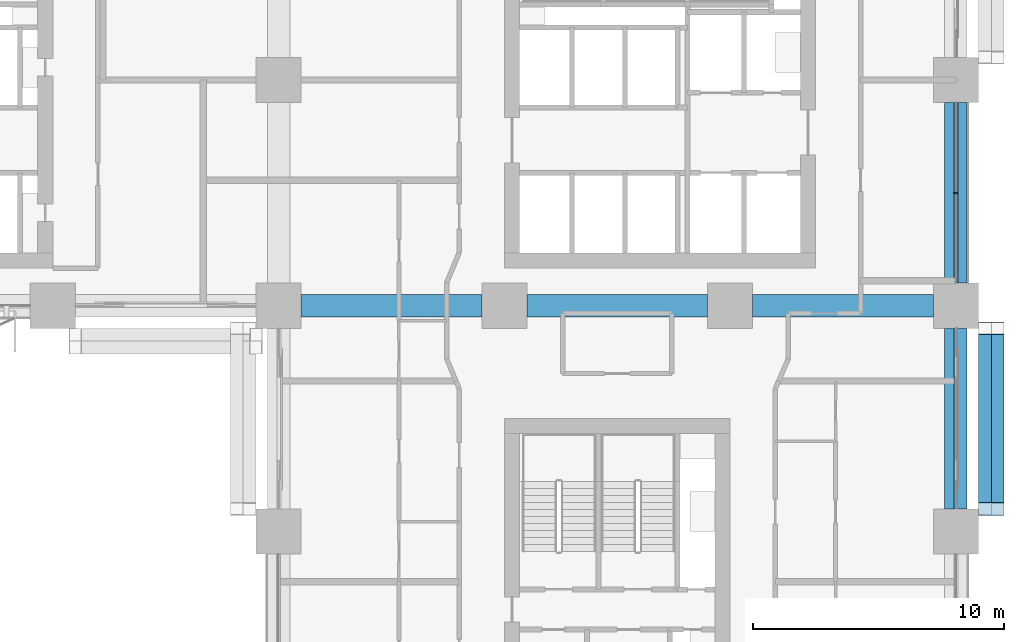
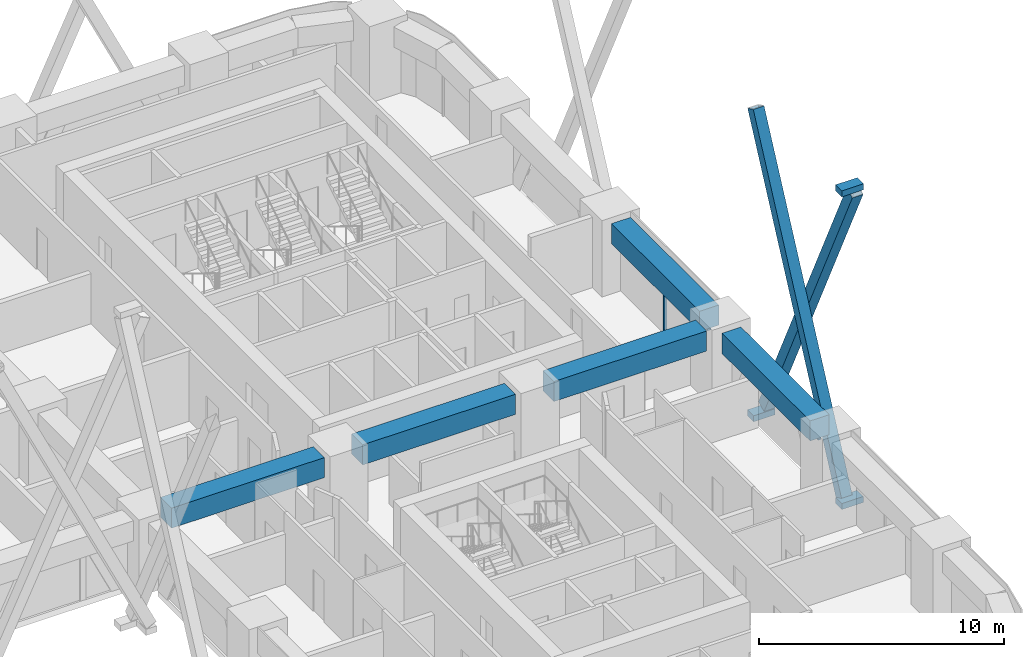
# One storey, part 5 of 19: 8 members, 5 beams, 2 elements without a shape of their own.
"""IFC4 building model written with IfcOpenShell, lengths in metres."""

from ifc_helpers import new_model, si_unit, direction, frame, origin, origin_2d, place, context, subcontext, project, spatial, rectangle, hollow_rectangle, extrude, material, layer, layer_set, material_profile, profile_set, type_object, element, aggregate, save


model = new_model("IFC4")

# Units and contexts
model_context = context("Model", 3, precision=1e-05, world=origin(), true_north=direction((0.0, 1.0)))
body_context = subcontext(model_context, "Body", "Model", "MODEL_VIEW")
ifc_project = project(units=[si_unit("LENGTHUNIT", "METRE"), si_unit("AREAUNIT", "SQUARE_METRE"), si_unit("VOLUMEUNIT", "CUBIC_METRE"), si_unit("PLANEANGLEUNIT", "RADIAN"), si_unit("MASSUNIT", "GRAM", prefix="KILO")], contexts=[model_context])

# Site, building, storey
site_placement = place(None, origin())
site = spatial("IfcSite", under=ifc_project, at=site_placement, CompositionType="ELEMENT")
building_placement = place(site_placement, origin())
building = spatial("IfcBuilding", under=site, at=building_placement, Name="Tessera Arch", CompositionType="ELEMENT")
storey_placement = place(building_placement, frame((0.0, 0.0, 108.199951171875)))
storey = spatial("IfcBuildingStorey", under=building, at=storey_placement, Name="L25", CompositionType="ELEMENT", Elevation=108.199951171875)

# Members
ifc_material_1 = material(Name="Steel A500 Gr C", Category="steel")
ifc_material_profile_1 = material_profile(ifc_material_1, hollow_rectangle(XDim=0.508056640625, YDim=0.508056640625, WallThickness=0.0146484375, at=origin_2d()), Name="HSS20x20x5/8")
ifc_profile_set_1 = profile_set([ifc_material_profile_1], Name="Steel A500 Gr C")
member_type_1 = type_object("IfcMemberType", Name="Brace HSS20x20x5/8 Steel A500 Gr C", PredefinedType="BRACE", material=ifc_profile_set_1)
for number, where, z_axis, x_axis, name in (
    (1, (55.154052734375, 18.89990234375, -0.800048828125), (0.0, 0.432740607972, 0.90151847802), (-1.0, 0.0, 0.0), "Brace E54.0-2 A L25-L28"),
    (2, (55.662109375, 26.10009765625, -0.800048828125), (0.0, -0.432740607972, 0.90151847802), (1.0, 0.0, 0.0), "Brace E54.0-2 B L25-L28"),
):
    element("IfcMember", number, at=place(storey_placement, frame(where, z_axis=z_axis, x_axis=x_axis)), inside=storey, type_object=member_type_1, Name=name, PredefinedType="BRACE", context=body_context, shape_type="SweptSolid", body=[
        extrude(hollow_rectangle(XDim=0.508056640625, YDim=0.508056640625, WallThickness=0.0146484375, at=origin_2d()), origin(), (0.0, 0.0, 1.0), 16.638671875),
    ])

# Curtain wall, members
ifc_material_2 = material(Name="CW1 curtain wall")
curtain_wall_type_1 = type_object("IfcCurtainWallType", Name="CW1 curtain wall", PredefinedType="NOTDEFINED", material=ifc_material_2)
curtain_wall_1_placement = place(storey_placement, origin())
curtain_wall_1 = element("IfcCurtainWall", 3, at=curtain_wall_1_placement, inside=storey, type_object=curtain_wall_type_1, Name="CW1 curtain wall E54.0/3 L25", PredefinedType="NOTDEFINED")
ifc_material_3 = material(Name="Anodised aluminium pale metal", Category="aluminium")
ifc_material_profile_2 = material_profile(ifc_material_3, rectangle(XDim=0.159912109375, YDim=0.06005859375, at=origin_2d()), Name="AL 60x160")
ifc_profile_set_2 = profile_set([ifc_material_profile_2], Name="Anodised aluminium pale metal")
member_type_2 = type_object("IfcMemberType", Name="CW1 mullion", PredefinedType="MULLION", material=ifc_profile_set_2)
member_1_placement = place(storey_placement, frame((54.0, 31.5, 0.0), z_axis=(0.0, 0.0, 1.0), x_axis=(-1.0, 0.0, 0.0)))
member_1 = element("IfcMember", 4, at=member_1_placement, type_object=member_type_2, Name="CW1 mullion E54.0/3 1", PredefinedType="MULLION", context=body_context, shape_type="SweptSolid", body=[
    extrude(rectangle(XDim=0.159912109375, YDim=0.06005859375, at=origin_2d()), origin(), (0.0, 0.0, 1.0), 2.400146484375),
])
ifc_material_4 = material(Name="Anodised aluminium pale metal", Category="aluminium")
ifc_material_profile_3 = material_profile(ifc_material_4, rectangle(XDim=0.159912109375, YDim=0.10009765625, at=origin_2d()), Name="AL 160x100")
ifc_profile_set_3 = profile_set([ifc_material_profile_3], Name="Anodised aluminium pale metal")
member_type_3 = type_object("IfcMemberType", Name="CW1 transom", PredefinedType="USERDEFINED", material=ifc_profile_set_3)
member_2_placement = place(storey_placement, frame((54.0, 27.89990234375, 2.449951171875), z_axis=(0.0, 1.0, 0.0), x_axis=(-1.0, 0.0, 0.0)))
member_2 = element("IfcMember", 5, at=member_2_placement, type_object=member_type_3, Name="CW1 transom E54.0/3 1.1", ObjectType="TRANSOM", PredefinedType="USERDEFINED", context=body_context, shape_type="SweptSolid", body=[
    extrude(rectangle(XDim=0.159912109375, YDim=0.10009765625, at=origin_2d()), origin(), (0.0, 0.0, 1.0), 7.2001953125),
])
aggregate(curtain_wall_1, [member_1, member_2])

# Curtain wall, member
ifc_material_5 = material(Name="CW3 curtain wall")
curtain_wall_type_2 = type_object("IfcCurtainWallType", Name="CW3 curtain wall", PredefinedType="NOTDEFINED", material=ifc_material_5)
curtain_wall_2_placement = place(storey_placement, origin())
curtain_wall_2 = element("IfcCurtainWall", 6, at=curtain_wall_2_placement, inside=storey, type_object=curtain_wall_type_2, Name="CW3 curtain wall E54.0/2 L25", PredefinedType="NOTDEFINED")
ifc_material_6 = material(Name="Anodised aluminium pale metal", Category="aluminium")
ifc_material_profile_4 = material_profile(ifc_material_6, rectangle(XDim=0.139892578125, YDim=0.10009765625, at=origin_2d()), Name="AL 140x100")
ifc_profile_set_4 = profile_set([ifc_material_profile_4], Name="Anodised aluminium pale metal")
member_type_4 = type_object("IfcMemberType", Name="CW3 transom", PredefinedType="USERDEFINED", material=ifc_profile_set_4)
member_3_placement = place(storey_placement, frame((54.0, 18.89990234375, 2.449951171875), z_axis=(0.0, 1.0, 0.0), x_axis=(-1.0, 0.0, 0.0)))
member_3 = element("IfcMember", 7, at=member_3_placement, type_object=member_type_4, Name="CW3 transom E54.0/2 1.1", ObjectType="TRANSOM", PredefinedType="USERDEFINED", context=body_context, shape_type="SweptSolid", body=[
    extrude(rectangle(XDim=0.139892578125, YDim=0.10009765625, at=origin_2d()), origin(), (0.0, 0.0, 1.0), 7.2001953125),
])
aggregate(curtain_wall_2, [member_3])

# Members
ifc_material_7 = material(Name="Steel A572 Gr50", Category="steel")
ifc_layer = layer(ifc_material_7, 0.050048828125)
ifc_layer_set = layer_set([ifc_layer], Name="Node block Steel A572 Gr50")
member_type_5 = type_object("IfcMemberType", Name="Node block Steel A572 Gr50", PredefinedType="PLATE", material=ifc_layer_set)
for number, where, z_axis, x_axis, name in (
    (8, (55.407958984375, 26.10009765625, -1.232421875), (0.0, 0.0, 1.0), (0.0, 1.0, 0.0), "Node block seat E54.0-2 1 L25"),
    (9, (55.407958984375, 18.89990234375, -1.232421875), (0.0, 0.0, 1.0), (0.0, 1.0, 0.0), "Node block seat E54.0-2 2 L25"),
    (10, (55.407958984375, 18.89990234375, 14.33251953125), (0.0, 0.0, 1.0), (0.0, 1.0, 0.0), "Node block head E54.0-2 B L25"),
):
    element("IfcMember", number, at=place(storey_placement, frame(where, z_axis=z_axis, x_axis=x_axis)), inside=storey, type_object=member_type_5, Name=name, PredefinedType="PLATE", context=body_context, shape_type="SweptSolid", body=[
        extrude(rectangle(XDim=0.508056640625, YDim=1.01611328125, at=origin_2d()), origin(), (0.0, 0.0, 1.0), 0.300048828125),
    ])

# Beams
ifc_material_8 = material(Name="Concrete C80/95", Category="concrete")
ifc_material_profile_5 = material_profile(ifc_material_8, rectangle(XDim=0.89990234375, YDim=1.0, at=origin_2d()), Name="RC spandrel beam 900 x 1000 Concrete C80/95")
ifc_profile_set_5 = profile_set([ifc_material_profile_5], Name="Concrete C80/95")
beam_type = type_object("IfcBeamType", Name="RC spandrel beam 900 x 1000 Concrete C80/95", PredefinedType="BEAM", material=ifc_profile_set_5)
for number, where, z_axis, x_axis, name in (
    (11, (54.0, 18.89990234375, 3.0), (0.0, 1.0, 0.0), (-1.0, 0.0, 0.0), "Spandrel beam L25 E54.0/2"),
    (12, (54.0, 27.89990234375, 3.0), (0.0, 1.0, 0.0), (-1.0, 0.0, 0.0), "Spandrel beam L25 E54.0/3"),
    (13, (27.89990234375, 27.0, 3.0), (1.0, 0.0, 0.0), (0.0, 1.0, 0.0), "Interface beam L25 I1C4D-C5D"),
    (14, (36.89990234375, 27.0, 3.0), (1.0, 0.0, 0.0), (0.0, 1.0, 0.0), "Interface beam L25 I1C5D-C6D"),
    (15, (45.89990234375, 27.0, 3.0), (1.0, 0.0, 0.0), (0.0, 1.0, 0.0), "Interface beam L25 I1C6D-C7D"),
):
    element("IfcBeam", number, at=place(storey_placement, frame(where, z_axis=z_axis, x_axis=x_axis)), inside=storey, type_object=beam_type, Name=name, PredefinedType="BEAM", context=body_context, shape_type="SweptSolid", body=[
        extrude(rectangle(XDim=0.89990234375, YDim=1.0, at=origin_2d()), origin(), (0.0, 0.0, 1.0), 7.2001953125),
    ])

save(model, "model.ifc")
